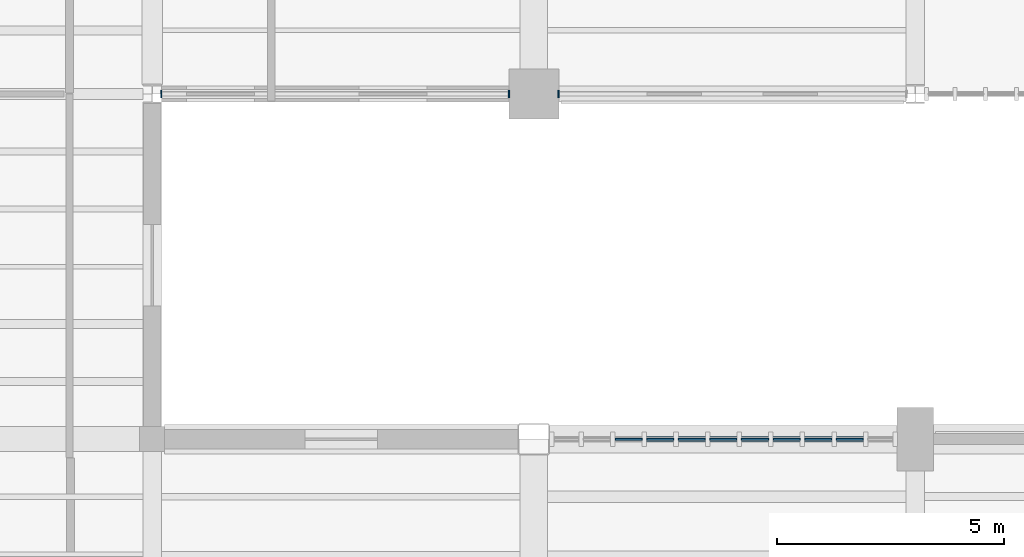
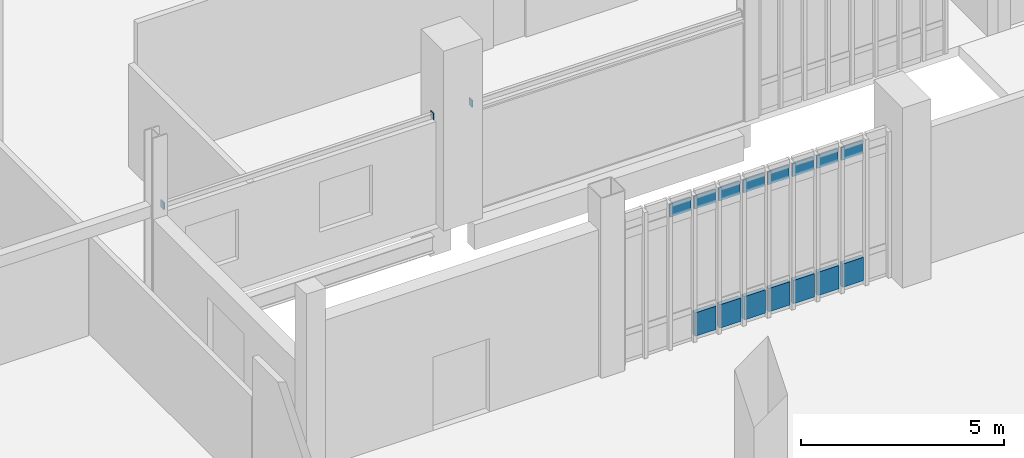
# One storey, part 72 of 111: 18 plates, 1 element without a shape of its own.
"""IFC4 building model written with IfcOpenShell, lengths in metres."""

from ifc_helpers import new_model, si_unit, direction, frame, origin, origin_2d, place, context, subcontext, project, spatial, rectangle, extrude, material, layer, layer_set, type_object, element, aggregate, save


model = new_model("IFC4")

# Units and contexts
model_context = context("Model", 3, precision=1e-05, world=origin(), true_north=direction((0.0, 1.0)))
body_context = subcontext(model_context, "Body", "Model", "MODEL_VIEW")
ifc_project = project(units=[si_unit("LENGTHUNIT", "METRE"), si_unit("AREAUNIT", "SQUARE_METRE"), si_unit("VOLUMEUNIT", "CUBIC_METRE"), si_unit("PLANEANGLEUNIT", "RADIAN"), si_unit("MASSUNIT", "GRAM", prefix="KILO")], contexts=[model_context])

# Site, building, storey
site_placement = place(None, origin())
site = spatial("IfcSite", under=ifc_project, at=site_placement, CompositionType="ELEMENT")
building_placement = place(site_placement, origin())
building = spatial("IfcBuilding", under=site, at=building_placement, Name="Larkvane Passage Sports Hall", CompositionType="ELEMENT")
storey_placement = place(building_placement, origin())
storey = spatial("IfcBuildingStorey", under=building, at=storey_placement, Name="L00", CompositionType="ELEMENT", Elevation=0.0)

# Curtain wall, plates
ifc_material_1 = material(Name="Thermally broken aluminium and low-E glazing", Category="aluminium")
curtain_wall_type = type_object("IfcCurtainWallType", Name="CW-CLINIC", PredefinedType="USERDEFINED", material=ifc_material_1)
curtain_wall_placement = place(storey_placement, origin())
curtain_wall = element("IfcCurtainWall", 1, at=curtain_wall_placement, inside=storey, type_object=curtain_wall_type, Name="Curtain wall CW5-L00-027", ObjectType="UNITISED CURTAIN WALL", PredefinedType="USERDEFINED")
ifc_material_2 = material(Name="Deep insulated facade spandrel panel")
ifc_layer_1 = layer(ifc_material_2, 0.125)
ifc_layer_set_1 = layer_set([ifc_layer_1], Name="Deep insulated facade spandrel panel")
plate_type_1 = type_object("IfcPlateType", Name="CWP-SPD-125", PredefinedType="CURTAIN_PANEL", material=ifc_layer_set_1)
plate_1_placement = place(storey_placement, frame((71.1826171875, 15.199951171875, 0.10009765625), z_axis=(0.0, 0.0, 1.0), x_axis=(1.0, 0.0, 0.0)))
plate_1 = element("IfcPlate", 2, at=plate_1_placement, type_object=plate_type_1, Name="CW-05 panel 4.1", PredefinedType="CURTAIN_PANEL", context=body_context, shape_type="SweptSolid", body=[
    extrude(rectangle(XDim=0.59619140625, YDim=0.125, at=origin_2d()), origin(), (0.0, 0.0, 1.0), 0.699951171875),
])
plate_2_placement = place(storey_placement, frame((71.87890625, 15.199951171875, 0.10009765625), z_axis=(0.0, 0.0, 1.0), x_axis=(1.0, 0.0, 0.0)))
plate_2 = element("IfcPlate", 3, at=plate_2_placement, type_object=plate_type_1, Name="CW-05 panel 5.1", PredefinedType="CURTAIN_PANEL", context=body_context, shape_type="SweptSolid", body=[
    extrude(rectangle(XDim=0.59619140625, YDim=0.125, at=origin_2d()), origin(), (0.0, 0.0, 1.0), 0.699951171875),
])
plate_3_placement = place(storey_placement, frame((72.574951171875, 15.199951171875, 0.10009765625), z_axis=(0.0, 0.0, 1.0), x_axis=(1.0, 0.0, 0.0)))
plate_3 = element("IfcPlate", 4, at=plate_3_placement, type_object=plate_type_1, Name="CW-05 panel 6.1", PredefinedType="CURTAIN_PANEL", context=body_context, shape_type="SweptSolid", body=[
    extrude(rectangle(XDim=0.59619140625, YDim=0.125, at=origin_2d()), origin(), (0.0, 0.0, 1.0), 0.699951171875),
])
plate_4_placement = place(storey_placement, frame((73.271240234375, 15.199951171875, 0.10009765625), z_axis=(0.0, 0.0, 1.0), x_axis=(1.0, 0.0, 0.0)))
plate_4 = element("IfcPlate", 5, at=plate_4_placement, type_object=plate_type_1, Name="CW-05 panel 7.1", PredefinedType="CURTAIN_PANEL", context=body_context, shape_type="SweptSolid", body=[
    extrude(rectangle(XDim=0.59619140625, YDim=0.125, at=origin_2d()), origin(), (0.0, 0.0, 1.0), 0.699951171875),
])
plate_5_placement = place(storey_placement, frame((73.96728515625, 15.199951171875, 0.10009765625), z_axis=(0.0, 0.0, 1.0), x_axis=(1.0, 0.0, 0.0)))
plate_5 = element("IfcPlate", 6, at=plate_5_placement, type_object=plate_type_1, Name="CW-05 panel 8.1", PredefinedType="CURTAIN_PANEL", context=body_context, shape_type="SweptSolid", body=[
    extrude(rectangle(XDim=0.59619140625, YDim=0.125, at=origin_2d()), origin(), (0.0, 0.0, 1.0), 0.699951171875),
])
plate_6_placement = place(storey_placement, frame((74.66357421875, 15.199951171875, 0.10009765625), z_axis=(0.0, 0.0, 1.0), x_axis=(1.0, 0.0, 0.0)))
plate_6 = element("IfcPlate", 7, at=plate_6_placement, type_object=plate_type_1, Name="CW-05 panel 9.1", PredefinedType="CURTAIN_PANEL", context=body_context, shape_type="SweptSolid", body=[
    extrude(rectangle(XDim=0.59619140625, YDim=0.125, at=origin_2d()), origin(), (0.0, 0.0, 1.0), 0.699951171875),
])
plate_7_placement = place(storey_placement, frame((75.359619140625, 15.199951171875, 0.10009765625), z_axis=(0.0, 0.0, 1.0), x_axis=(1.0, 0.0, 0.0)))
plate_7 = element("IfcPlate", 8, at=plate_7_placement, type_object=plate_type_1, Name="CW-05 panel 10.1", PredefinedType="CURTAIN_PANEL", context=body_context, shape_type="SweptSolid", body=[
    extrude(rectangle(XDim=0.59619140625, YDim=0.125, at=origin_2d()), origin(), (0.0, 0.0, 1.0), 0.699951171875),
])
ifc_material_3 = material(Name="Triple-laminated typhoon glazing", Category="glass")
ifc_layer_2 = layer(ifc_material_3, 0.0419921875)
ifc_layer_set_2 = layer_set([ifc_layer_2], Name="Triple-laminated typhoon glazing")
plate_type_2 = type_object("IfcPlateType", Name="CWP-VIS-42", PredefinedType="CURTAIN_PANEL", material=ifc_layer_set_2)
plate_8_placement = place(storey_placement, frame((70.486572265625, 15.199951171875, 3.885986328125), z_axis=(0.0, 0.0, 1.0), x_axis=(1.0, 0.0, 0.0)))
plate_8 = element("IfcPlate", 9, at=plate_8_placement, type_object=plate_type_2, Name="CW-05 panel 3.3", PredefinedType="CURTAIN_PANEL", context=body_context, shape_type="SweptSolid", body=[
    extrude(rectangle(XDim=0.59619140625, YDim=0.0419921875, at=origin_2d()), origin(), (0.0, 0.0, 1.0), 0.39990234375),
])
plate_9_placement = place(storey_placement, frame((71.1826171875, 15.199951171875, 3.885986328125), z_axis=(0.0, 0.0, 1.0), x_axis=(1.0, 0.0, 0.0)))
plate_9 = element("IfcPlate", 10, at=plate_9_placement, type_object=plate_type_2, Name="CW-05 panel 4.3", PredefinedType="CURTAIN_PANEL", context=body_context, shape_type="SweptSolid", body=[
    extrude(rectangle(XDim=0.59619140625, YDim=0.0419921875, at=origin_2d()), origin(), (0.0, 0.0, 1.0), 0.39990234375),
])
plate_10_placement = place(storey_placement, frame((71.87890625, 15.199951171875, 3.885986328125), z_axis=(0.0, 0.0, 1.0), x_axis=(1.0, 0.0, 0.0)))
plate_10 = element("IfcPlate", 11, at=plate_10_placement, type_object=plate_type_2, Name="CW-05 panel 5.3", PredefinedType="CURTAIN_PANEL", context=body_context, shape_type="SweptSolid", body=[
    extrude(rectangle(XDim=0.59619140625, YDim=0.0419921875, at=origin_2d()), origin(), (0.0, 0.0, 1.0), 0.39990234375),
])
plate_11_placement = place(storey_placement, frame((72.574951171875, 15.199951171875, 3.885986328125), z_axis=(0.0, 0.0, 1.0), x_axis=(1.0, 0.0, 0.0)))
plate_11 = element("IfcPlate", 12, at=plate_11_placement, type_object=plate_type_2, Name="CW-05 panel 6.3", PredefinedType="CURTAIN_PANEL", context=body_context, shape_type="SweptSolid", body=[
    extrude(rectangle(XDim=0.59619140625, YDim=0.0419921875, at=origin_2d()), origin(), (0.0, 0.0, 1.0), 0.39990234375),
])
plate_12_placement = place(storey_placement, frame((73.271240234375, 15.199951171875, 3.885986328125), z_axis=(0.0, 0.0, 1.0), x_axis=(1.0, 0.0, 0.0)))
plate_12 = element("IfcPlate", 13, at=plate_12_placement, type_object=plate_type_2, Name="CW-05 panel 7.3", PredefinedType="CURTAIN_PANEL", context=body_context, shape_type="SweptSolid", body=[
    extrude(rectangle(XDim=0.59619140625, YDim=0.0419921875, at=origin_2d()), origin(), (0.0, 0.0, 1.0), 0.39990234375),
])
plate_13_placement = place(storey_placement, frame((73.96728515625, 15.199951171875, 3.885986328125), z_axis=(0.0, 0.0, 1.0), x_axis=(1.0, 0.0, 0.0)))
plate_13 = element("IfcPlate", 14, at=plate_13_placement, type_object=plate_type_2, Name="CW-05 panel 8.3", PredefinedType="CURTAIN_PANEL", context=body_context, shape_type="SweptSolid", body=[
    extrude(rectangle(XDim=0.59619140625, YDim=0.0419921875, at=origin_2d()), origin(), (0.0, 0.0, 1.0), 0.39990234375),
])
plate_14_placement = place(storey_placement, frame((74.66357421875, 15.199951171875, 3.885986328125), z_axis=(0.0, 0.0, 1.0), x_axis=(1.0, 0.0, 0.0)))
plate_14 = element("IfcPlate", 15, at=plate_14_placement, type_object=plate_type_2, Name="CW-05 panel 9.3", PredefinedType="CURTAIN_PANEL", context=body_context, shape_type="SweptSolid", body=[
    extrude(rectangle(XDim=0.59619140625, YDim=0.0419921875, at=origin_2d()), origin(), (0.0, 0.0, 1.0), 0.39990234375),
])
plate_15_placement = place(storey_placement, frame((75.359619140625, 15.199951171875, 3.885986328125), z_axis=(0.0, 0.0, 1.0), x_axis=(1.0, 0.0, 0.0)))
plate_15 = element("IfcPlate", 16, at=plate_15_placement, type_object=plate_type_2, Name="CW-05 panel 10.3", PredefinedType="CURTAIN_PANEL", context=body_context, shape_type="SweptSolid", body=[
    extrude(rectangle(XDim=0.59619140625, YDim=0.0419921875, at=origin_2d()), origin(), (0.0, 0.0, 1.0), 0.39990234375),
])
aggregate(curtain_wall, [plate_8, plate_1, plate_9, plate_2, plate_10, plate_3, plate_11, plate_4, plate_12, plate_5, plate_13, plate_6, plate_14, plate_7, plate_15])

# Plates
ifc_material_4 = material(Name="Steel S355JR", Category="steel")
ifc_layer_3 = layer(ifc_material_4, 0.011962890625)
ifc_layer_set_3 = layer_set([ifc_layer_3], Name="Steel S355JR")
plate_type_3 = type_object("IfcPlateType", Name="PLT-CAP-12", PredefinedType="SHEET", material=ifc_layer_set_3)
for number, where, z_axis, x_axis, name in (
    (17, (60.197509765625, 22.800048828125, 3.044921875), (0.0, 0.0, 1.0), (0.0, 1.0, 0.0), "Hollow section sealed end cap plate 0075"),
    (18, (67.85595703125, 22.800048828125, 3.044921875), (0.0, 0.0, 1.0), (0.0, 1.0, 0.0), "Hollow section sealed end cap plate 0076"),
    (19, (68.944091796875, 22.800048828125, 3.044921875), (0.0, 0.0, 1.0), (0.0, 1.0, 0.0), "Hollow section sealed end cap plate 0077"),
):
    element("IfcPlate", number, at=place(storey_placement, frame(where, z_axis=z_axis, x_axis=x_axis)), inside=storey, type_object=plate_type_3, Name=name, PredefinedType="SHEET", context=body_context, shape_type="SweptSolid", body=[
        extrude(rectangle(XDim=0.159912109375, YDim=0.028076171875, at=origin_2d()), origin(), (0.0, 0.0, 1.0), 0.2099609375),
    ])

save(model, "model.ifc")
